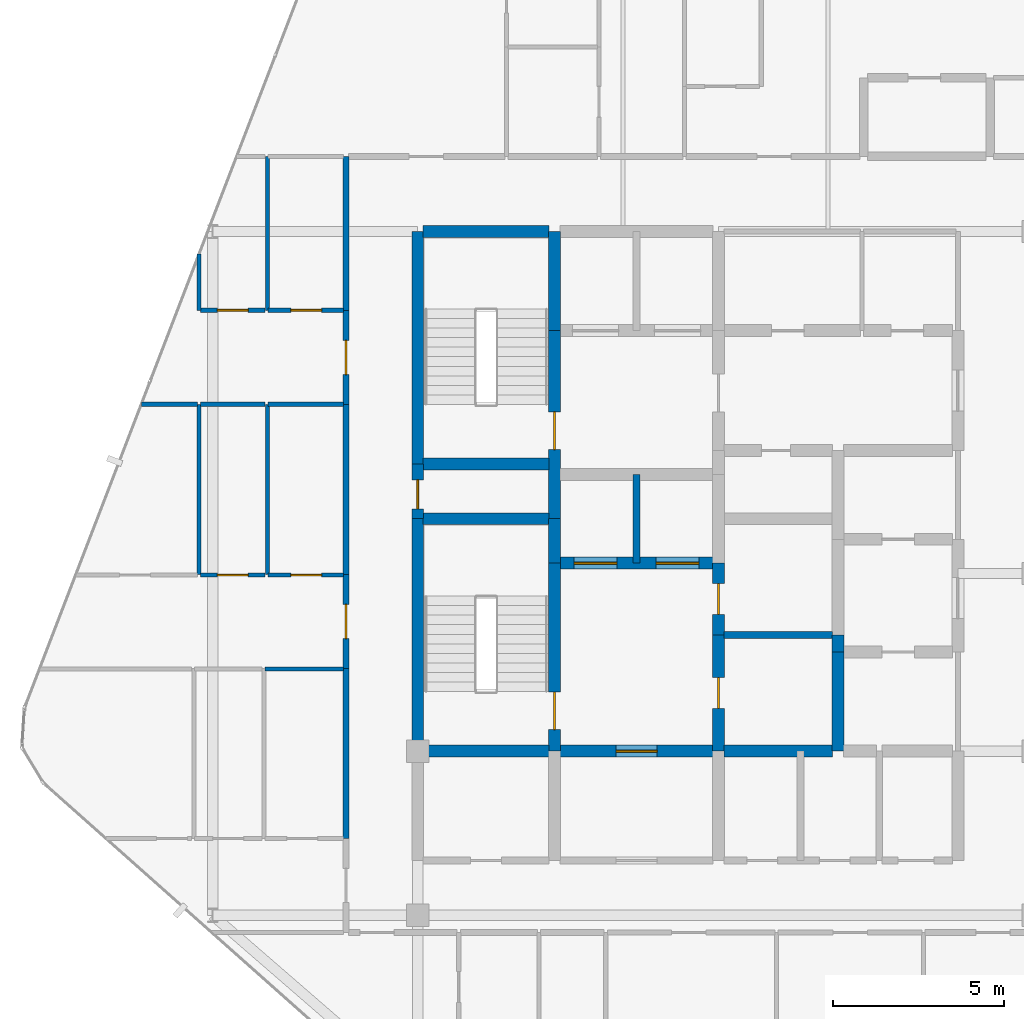
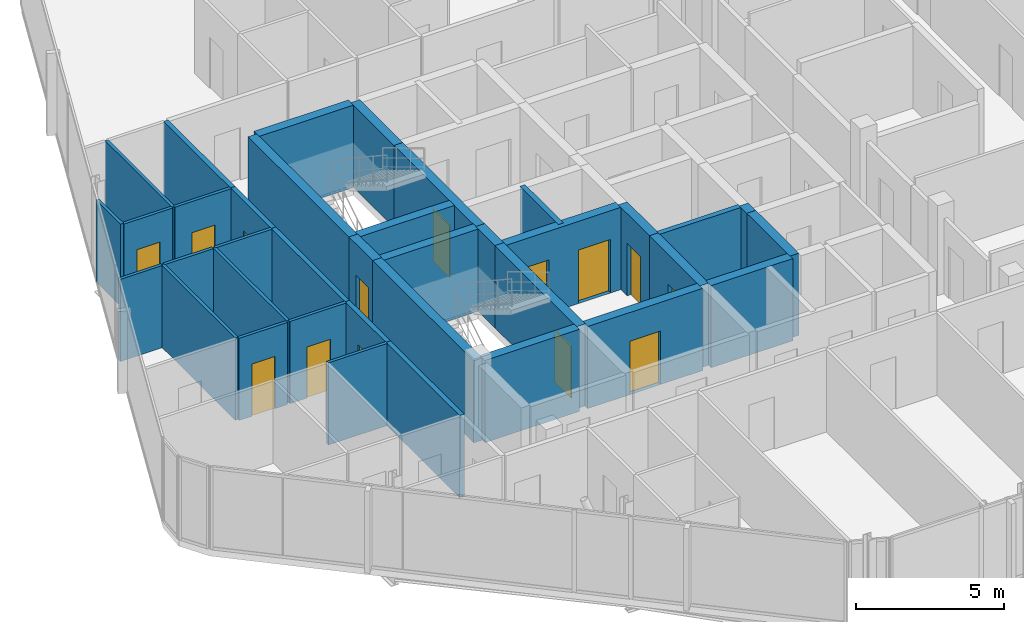
# One storey, part 23 of 27: 37 walls, 14 doors, 14 openings.
"""IFC4 building model written with IfcOpenShell, lengths in metres."""

from ifc_helpers import new_model, si_unit, direction, frame, frame_2d, origin, place, context, subcontext, project, spatial, rectangle, extrude, material, layer, layer_set, type_object, element, fill, save


model = new_model("IFC4")

# Units and contexts
model_context = context("Model", 3, precision=1e-05, world=origin(), true_north=direction((0.0, 1.0)))
body_context = subcontext(model_context, "Body", "Model", "MODEL_VIEW")
ifc_project = project(units=[si_unit("LENGTHUNIT", "METRE"), si_unit("AREAUNIT", "SQUARE_METRE"), si_unit("VOLUMEUNIT", "CUBIC_METRE"), si_unit("PLANEANGLEUNIT", "RADIAN"), si_unit("MASSUNIT", "GRAM", prefix="KILO")], contexts=[model_context])

# Site, building, storey
site_placement = place(None, origin())
site = spatial("IfcSite", under=ifc_project, at=site_placement, CompositionType="ELEMENT")
building_placement = place(site_placement, origin())
building = spatial("IfcBuilding", under=site, at=building_placement, Name="Keshet Zoharim Tower", CompositionType="ELEMENT")
storey_placement = place(building_placement, frame((0.0, 0.0, 295.39990234375)))
storey = spatial("IfcBuildingStorey", under=building, at=storey_placement, Name="L74", CompositionType="ELEMENT", Elevation=295.39990234375)

# Wall
ifc_material_1 = material(Name="Concrete C60/75", Category="concrete")
ifc_layer_1 = layer(ifc_material_1, 0.35009765625)
ifc_layer_set_1 = layer_set([ifc_layer_1], Name="Concrete C60/75")
wall_type_1 = type_object("IfcWallType", Name="WL-CORE-350", PredefinedType="SHEAR", material=ifc_layer_set_1)
wall_1_placement = place(storey_placement, frame((15.0, 22.699951171875, 0.0), z_axis=(0.0, 0.0, 1.0), x_axis=(0.0, 1.0, 0.0)))
element("IfcWall", 1, at=wall_1_placement, inside=storey, type_object=wall_type_1, Name="L74 Core Shear Wall 014", PredefinedType="SHEAR", context=body_context, shape_type="SweptSolid", body=[
    extrude(rectangle(XDim=6.800048828125, YDim=0.35009765625, at=frame_2d((3.39990234375, 0.0))), origin(), (0.0, 0.0, 1.0), 3.380126953125),
])

# Wall, opening, door
wall_2_placement = place(storey_placement, frame((15.0, 29.5, 0.0), z_axis=(0.0, 0.0, 1.0), x_axis=(0.0, 1.0, 0.0)))
wall_2 = element("IfcWall", 2, at=wall_2_placement, inside=storey, type_object=wall_type_1, Name="L74 Core Shear Wall 015", PredefinedType="SHEAR", context=body_context, shape_type="SweptSolid", body=[
    extrude(rectangle(XDim=1.60009765625, YDim=0.35009765625, at=frame_2d((0.800048828125, 0.0))), origin(), (0.0, 0.0, 1.0), 3.380126953125),
])
opening_1_placement = place(wall_2_placement, frame((0.287109375, 0.0, 0.0)))
opening_1 = element("IfcOpeningElement", 3, at=opening_1_placement, cuts=wall_2, Name="Opening D-RS85", PredefinedType="OPENING", context=body_context, shape_type="SweptSolid", body=[
    extrude(rectangle(XDim=0.85009765625, YDim=2.10009765625, at=frame_2d((0.425048828125, 1.050048828125))), frame((0.0, 0.18505859375, 0.0), z_axis=(0.0, -1.0, 0.0), x_axis=(1.0, 0.0, 0.0)), (0.0, 0.0, 1.0), 0.3701171875),
])
ifc_material_2 = material(Name="Hardwood Timber", Category="wood")
door_type_1 = type_object("IfcDoorType", Name="DR-RIS-085", OperationType="NOTDEFINED", PredefinedType="DOOR", material=ifc_material_2)
door_1_placement = place(opening_1_placement, origin())
door_1 = element("IfcDoor", 4, at=door_1_placement, inside=storey, type_object=door_type_1, Name="L74 Electrical Riser Access Cupboard Door", OperationType="SINGLE_SWING_RIGHT", OverallHeight=2.10009765625, OverallWidth=0.85009765625, PredefinedType="DOOR", context=body_context, shape_type="SweptSolid", body=[
    extrude(rectangle(XDim=0.85009765625, YDim=2.10009765625, at=frame_2d((0.425048828125, 1.050048828125))), frame((0.0, 0.02490234375, 0.0), z_axis=(0.0, -1.0, 0.0), x_axis=(1.0, 0.0, 0.0)), (0.0, 0.0, 1.0), 0.050048828125),
])
fill(opening_1, door_1)

# Wall
wall_3_placement = place(storey_placement, frame((15.0, 31.10009765625, 0.0), z_axis=(0.0, 0.0, 1.0), x_axis=(0.0, 1.0, 0.0)))
element("IfcWall", 5, at=wall_3_placement, inside=storey, type_object=wall_type_1, Name="L74 Core Shear Wall 016", PredefinedType="SHEAR", context=body_context, shape_type="SweptSolid", body=[
    extrude(rectangle(XDim=6.7998046875, YDim=0.35009765625, at=frame_2d((3.39990234375, 0.0))), origin(), (0.0, 0.0, 1.0), 3.380126953125),
])

# Wall, opening, door
wall_4_placement = place(storey_placement, frame((19.0, 22.699951171875, 0.0), z_axis=(0.0, 0.0, 1.0), x_axis=(0.0, 1.0, 0.0)))
wall_4 = element("IfcWall", 6, at=wall_4_placement, inside=storey, type_object=wall_type_1, Name="L74 Core Shear Wall 024", PredefinedType="SHEAR", context=body_context, shape_type="SweptSolid", body=[
    extrude(rectangle(XDim=5.5, YDim=0.35009765625, at=frame_2d((2.75, 0.0))), origin(), (0.0, 0.0, 1.0), 3.380126953125),
])
opening_2_placement = place(wall_4_placement, frame((0.631103515625, 0.0, 0.0)))
opening_2 = element("IfcOpeningElement", 7, at=opening_2_placement, cuts=wall_4, Name="Opening D-F611", PredefinedType="OPENING", context=body_context, shape_type="SweptSolid", body=[
    extrude(rectangle(XDim=1.10009765625, YDim=2.14990234375, at=frame_2d((0.550048828125, 1.074951171875))), frame((0.0, 0.18505859375, 0.0), z_axis=(0.0, -1.0, 0.0), x_axis=(1.0, 0.0, 0.0)), (0.0, 0.0, 1.0), 0.3701171875),
])
door_type_2 = type_object("IfcDoorType", Name="DR-FD60-110", OperationType="NOTDEFINED", PredefinedType="DOOR", material=ifc_material_2)
door_2_placement = place(opening_2_placement, origin())
door_2 = element("IfcDoor", 8, at=door_2_placement, inside=storey, type_object=door_type_2, Name="L74 Exit Stair ST-01 Fire Door", OperationType="SINGLE_SWING_RIGHT", OverallHeight=2.14990234375, OverallWidth=1.10009765625, PredefinedType="DOOR", context=body_context, shape_type="SweptSolid", body=[
    extrude(rectangle(XDim=1.10009765625, YDim=2.14990234375, at=frame_2d((0.550048828125, 1.074951171875))), frame((0.0, 0.02490234375, 0.0), z_axis=(0.0, -1.0, 0.0), x_axis=(1.0, 0.0, 0.0)), (0.0, 0.0, 1.0), 0.050048828125),
])
fill(opening_2, door_2)

# Wall
wall_5_placement = place(storey_placement, frame((19.0, 28.199951171875, 0.0), z_axis=(0.0, 0.0, 1.0), x_axis=(0.0, 1.0, 0.0)))
element("IfcWall", 9, at=wall_5_placement, inside=storey, type_object=wall_type_1, Name="L74 Core Shear Wall 025", PredefinedType="SHEAR", context=body_context, shape_type="SweptSolid", body=[
    extrude(rectangle(XDim=1.300048828125, YDim=0.35009765625, at=frame_2d((0.64990234375, 0.0))), origin(), (0.0, 0.0, 1.0), 3.380126953125),
])

# Wall, opening, door
wall_6_placement = place(storey_placement, frame((19.0, 29.5, 0.0), z_axis=(0.0, 0.0, 1.0), x_axis=(0.0, 1.0, 0.0)))
wall_6 = element("IfcWall", 10, at=wall_6_placement, inside=storey, type_object=wall_type_1, Name="L74 Core Shear Wall 026", PredefinedType="SHEAR", context=body_context, shape_type="SweptSolid", body=[
    extrude(rectangle(XDim=5.5, YDim=0.35009765625, at=frame_2d((2.75, 0.0))), origin(), (0.0, 0.0, 1.0), 3.380126953125),
])
opening_3_placement = place(wall_6_placement, frame((2.02490234375, 0.0, 0.0)))
opening_3 = element("IfcOpeningElement", 11, at=opening_3_placement, cuts=wall_6, Name="Opening D-F611", PredefinedType="OPENING", context=body_context, shape_type="SweptSolid", body=[
    extrude(rectangle(XDim=1.10009765625, YDim=2.14990234375, at=frame_2d((0.550048828125, 1.074951171875))), frame((0.0, 0.18505859375, 0.0), z_axis=(0.0, -1.0, 0.0), x_axis=(1.0, 0.0, 0.0)), (0.0, 0.0, 1.0), 0.3701171875),
])
door_3_placement = place(opening_3_placement, origin())
door_3 = element("IfcDoor", 12, at=door_3_placement, inside=storey, type_object=door_type_2, Name="L74 Exit Stair ST-02 Fire Door", OperationType="SINGLE_SWING_LEFT", OverallHeight=2.14990234375, OverallWidth=1.10009765625, PredefinedType="DOOR", context=body_context, shape_type="SweptSolid", body=[
    extrude(rectangle(XDim=1.10009765625, YDim=2.14990234375, at=frame_2d((0.550048828125, 1.074951171875))), frame((0.0, 0.02490234375, 0.0), z_axis=(0.0, -1.0, 0.0), x_axis=(1.0, 0.0, 0.0)), (0.0, 0.0, 1.0), 0.050048828125),
])
fill(opening_3, door_3)

# Wall
wall_7_placement = place(storey_placement, frame((19.0, 35.0, 0.0), z_axis=(0.0, 0.0, 1.0), x_axis=(0.0, 1.0, 0.0)))
element("IfcWall", 13, at=wall_7_placement, inside=storey, type_object=wall_type_1, Name="L74 Core Shear Wall 027", PredefinedType="SHEAR", context=body_context, shape_type="SweptSolid", body=[
    extrude(rectangle(XDim=2.89990234375, YDim=0.35009765625, at=frame_2d((1.449951171875, 0.0))), origin(), (0.0, 0.0, 1.0), 3.380126953125),
])

# Wall, opening, door
wall_8_placement = place(storey_placement, frame((23.800048828125, 22.699951171875, 0.0), z_axis=(0.0, 0.0, 1.0), x_axis=(0.0, 1.0, 0.0)))
wall_8 = element("IfcWall", 14, at=wall_8_placement, inside=storey, type_object=wall_type_1, Name="L74 Core Shear Wall 036", PredefinedType="SHEAR", context=body_context, shape_type="SweptSolid", body=[
    extrude(rectangle(XDim=3.400146484375, YDim=0.35009765625, at=frame_2d((1.7001953125, 0.0))), origin(), (0.0, 0.0, 1.0), 3.380126953125),
])
opening_4_placement = place(wall_8_placement, frame((1.25, 0.0, 0.0)))
opening_4 = element("IfcOpeningElement", 15, at=opening_4_placement, cuts=wall_8, Name="Opening D-F690", PredefinedType="OPENING", context=body_context, shape_type="SweptSolid", body=[
    extrude(rectangle(XDim=0.89990234375, YDim=2.14990234375, at=frame_2d((0.449951171875, 1.074951171875))), frame((0.0, 0.18505859375, 0.0), z_axis=(0.0, -1.0, 0.0), x_axis=(1.0, 0.0, 0.0)), (0.0, 0.0, 1.0), 0.3701171875),
])
door_type_3 = type_object("IfcDoorType", Name="DR-FD60-090", OperationType="NOTDEFINED", PredefinedType="DOOR", material=ifc_material_2)
door_4_placement = place(opening_4_placement, origin())
door_4 = element("IfcDoor", 16, at=door_4_placement, inside=storey, type_object=door_type_3, Name="L74 Core Linen Store Door", OperationType="SINGLE_SWING_LEFT", OverallHeight=2.14990234375, OverallWidth=0.89990234375, PredefinedType="DOOR", context=body_context, shape_type="SweptSolid", body=[
    extrude(rectangle(XDim=0.89990234375, YDim=2.14990234375, at=frame_2d((0.449951171875, 1.074951171875))), frame((0.0, 0.02490234375, 0.0), z_axis=(0.0, -1.0, 0.0), x_axis=(1.0, 0.0, 0.0)), (0.0, 0.0, 1.0), 0.050048828125),
])
fill(opening_4, door_4)

wall_9_placement = place(storey_placement, frame((23.800048828125, 26.10009765625, 0.0), z_axis=(0.0, 0.0, 1.0), x_axis=(0.0, 1.0, 0.0)))
wall_9 = element("IfcWall", 17, at=wall_9_placement, inside=storey, type_object=wall_type_1, Name="L74 Core Shear Wall 037", PredefinedType="SHEAR", context=body_context, shape_type="SweptSolid", body=[
    extrude(rectangle(XDim=2.099853515625, YDim=0.35009765625, at=frame_2d((1.0498046875, 0.0))), origin(), (0.0, 0.0, 1.0), 3.380126953125),
])
opening_5_placement = place(wall_9_placement, frame((0.60009765625, 0.0, 0.0)))
opening_5 = element("IfcOpeningElement", 18, at=opening_5_placement, cuts=wall_9, Name="Opening D-F690", PredefinedType="OPENING", context=body_context, shape_type="SweptSolid", body=[
    extrude(rectangle(XDim=0.89990234375, YDim=2.14990234375, at=frame_2d((0.449951171875, 1.074951171875))), frame((0.0, 0.18505859375, 0.0), z_axis=(0.0, -1.0, 0.0), x_axis=(1.0, 0.0, 0.0)), (0.0, 0.0, 1.0), 0.3701171875),
])
door_5_placement = place(opening_5_placement, origin())
door_5 = element("IfcDoor", 19, at=door_5_placement, inside=storey, type_object=door_type_3, Name="L74 Core Electrical Room Door", OperationType="SINGLE_SWING_RIGHT", OverallHeight=2.14990234375, OverallWidth=0.89990234375, PredefinedType="DOOR", context=body_context, shape_type="SweptSolid", body=[
    extrude(rectangle(XDim=0.89990234375, YDim=2.14990234375, at=frame_2d((0.449951171875, 1.074951171875))), frame((0.0, 0.02490234375, 0.0), z_axis=(0.0, -1.0, 0.0), x_axis=(1.0, 0.0, 0.0)), (0.0, 0.0, 1.0), 0.050048828125),
])
fill(opening_5, door_5)

# Walls
wall_10_placement = place(storey_placement, frame((27.300048828125, 22.699951171875, 0.0), z_axis=(0.0, 0.0, 1.0), x_axis=(0.0, 1.0, 0.0)))
element("IfcWall", 20, at=wall_10_placement, inside=storey, type_object=wall_type_1, Name="L74 Core Shear Wall 045", PredefinedType="SHEAR", context=body_context, shape_type="SweptSolid", body=[
    extrude(rectangle(XDim=2.900146484375, YDim=0.35009765625, at=frame_2d((1.4501953125, 0.0))), origin(), (0.0, 0.0, 1.0), 3.380126953125),
])
wall_11_placement = place(storey_placement, frame((27.300048828125, 25.60009765625, 0.0), z_axis=(0.0, 0.0, 1.0), x_axis=(0.0, 1.0, 0.0)))
element("IfcWall", 21, at=wall_11_placement, inside=storey, type_object=wall_type_1, Name="L74 Core Shear Wall 046", PredefinedType="SHEAR", context=body_context, shape_type="SweptSolid", body=[
    extrude(rectangle(XDim=0.5, YDim=0.35009765625, at=frame_2d((0.25, 0.0))), origin(), (0.0, 0.0, 1.0), 3.380126953125),
])
wall_12_placement = place(storey_placement, frame((15.159912109375, 22.699951171875, 0.0), z_axis=(0.0, 0.0, 1.0), x_axis=(1.0, 0.0, 0.0)))
element("IfcWall", 22, at=wall_12_placement, inside=storey, type_object=wall_type_1, Name="L74 Core Shear Wall 111", PredefinedType="SHEAR", context=body_context, shape_type="SweptSolid", body=[
    extrude(rectangle(XDim=3.68017578125, YDim=0.35009765625, at=frame_2d((1.840087890625, 0.0))), origin(), (0.0, 0.0, 1.0), 3.380126953125),
])

# Wall, opening, door
wall_13_placement = place(storey_placement, frame((19.159912109375, 22.699951171875, 0.0), z_axis=(0.0, 0.0, 1.0), x_axis=(1.0, 0.0, 0.0)))
wall_13 = element("IfcWall", 23, at=wall_13_placement, inside=storey, type_object=wall_type_1, Name="L74 Core Shear Wall 112", PredefinedType="SHEAR", context=body_context, shape_type="SweptSolid", body=[
    extrude(rectangle(XDim=4.47998046875, YDim=0.35009765625, at=frame_2d((2.239990234375, 0.0))), origin(), (0.0, 0.0, 1.0), 3.380126953125),
])
opening_6_placement = place(wall_13_placement, frame((1.639892578125, 0.0, 0.0)))
opening_6 = element("IfcOpeningElement", 24, at=opening_6_placement, cuts=wall_13, Name="Opening D-F612", PredefinedType="OPENING", context=body_context, shape_type="SweptSolid", body=[
    extrude(rectangle(XDim=1.199951171875, YDim=2.199951171875, at=frame_2d((0.60009765625, 1.10009765625))), frame((0.0, 0.18505859375, 0.0), z_axis=(0.0, -1.0, 0.0), x_axis=(1.0, 0.0, 0.0)), (0.0, 0.0, 1.0), 0.3701171875),
])
door_type_4 = type_object("IfcDoorType", Name="DR-FD60-120", OperationType="NOTDEFINED", PredefinedType="DOOR", material=ifc_material_2)
door_6_placement = place(opening_6_placement, origin())
door_6 = element("IfcDoor", 25, at=door_6_placement, inside=storey, type_object=door_type_4, Name="L74 South Core Lobby Fire Door", OperationType="SINGLE_SWING_RIGHT", OverallHeight=2.199951171875, OverallWidth=1.199951171875, PredefinedType="DOOR", context=body_context, shape_type="SweptSolid", body=[
    extrude(rectangle(XDim=1.199951171875, YDim=2.199951171875, at=frame_2d((0.60009765625, 1.10009765625))), frame((0.0, 0.02490234375, 0.0), z_axis=(0.0, -1.0, 0.0), x_axis=(1.0, 0.0, 0.0)), (0.0, 0.0, 1.0), 0.050048828125),
])
fill(opening_6, door_6)

# Wall
wall_14_placement = place(storey_placement, frame((23.9599609375, 22.699951171875, 0.0), z_axis=(0.0, 0.0, 1.0), x_axis=(1.0, 0.0, 0.0)))
element("IfcWall", 26, at=wall_14_placement, inside=storey, type_object=wall_type_1, Name="L74 Core Shear Wall 113", PredefinedType="SHEAR", context=body_context, shape_type="SweptSolid", body=[
    extrude(rectangle(XDim=3.179931640625, YDim=0.35009765625, at=frame_2d((1.58984375, 0.0))), origin(), (0.0, 0.0, 1.0), 3.380126953125),
])

# Wall, openings, doors
wall_15_placement = place(storey_placement, frame((19.159912109375, 28.199951171875, 0.0), z_axis=(0.0, 0.0, 1.0), x_axis=(1.0, 0.0, 0.0)))
wall_15 = element("IfcWall", 27, at=wall_15_placement, inside=storey, type_object=wall_type_1, Name="L74 Core Shear Wall 128", PredefinedType="SHEAR", context=body_context, shape_type="SweptSolid", body=[
    extrude(rectangle(XDim=4.47998046875, YDim=0.35009765625, at=frame_2d((2.239990234375, 0.0))), origin(), (0.0, 0.0, 1.0), 3.380126953125),
])
opening_7_placement = place(wall_15_placement, frame((0.4150390625, 0.0, 0.0)))
opening_7 = element("IfcOpeningElement", 28, at=opening_7_placement, cuts=wall_15, Name="Opening LD-01", PredefinedType="OPENING", context=body_context, shape_type="SweptSolid", body=[
    extrude(rectangle(XDim=1.25, YDim=2.199951171875, at=frame_2d((0.625, 1.10009765625))), frame((0.0, 0.18505859375, 0.0), z_axis=(0.0, -1.0, 0.0), x_axis=(1.0, 0.0, 0.0)), (0.0, 0.0, 1.0), 0.3701171875),
])
opening_8_placement = place(wall_15_placement, frame((2.81494140625, 0.0, 0.0)))
opening_8 = element("IfcOpeningElement", 29, at=opening_8_placement, cuts=wall_15, Name="Opening LD-01", PredefinedType="OPENING", context=body_context, shape_type="SweptSolid", body=[
    extrude(rectangle(XDim=1.25, YDim=2.199951171875, at=frame_2d((0.625, 1.10009765625))), frame((0.0, 0.18505859375, 0.0), z_axis=(0.0, -1.0, 0.0), x_axis=(1.0, 0.0, 0.0)), (0.0, 0.0, 1.0), 0.3701171875),
])
ifc_material_3 = material(Name="Steel S355", Category="steel")
door_type_5 = type_object("IfcDoorType", Name="DR-LD01-125", OperationType="DOUBLE_DOOR_SLIDING", PredefinedType="DOOR", material=ifc_material_3)
door_7_placement = place(opening_7_placement, origin())
door_7 = element("IfcDoor", 30, at=door_7_placement, inside=storey, type_object=door_type_5, Name="L74 Passenger Lift Landing Door LF-09", OperationType="DOUBLE_DOOR_SLIDING", OverallHeight=2.199951171875, OverallWidth=1.25, PredefinedType="DOOR", context=body_context, shape_type="SweptSolid", body=[
    extrude(rectangle(XDim=1.25, YDim=2.199951171875, at=frame_2d((0.625, 1.10009765625))), frame((0.0, 0.02490234375, 0.0), z_axis=(0.0, -1.0, 0.0), x_axis=(1.0, 0.0, 0.0)), (0.0, 0.0, 1.0), 0.050048828125),
])
fill(opening_7, door_7)
door_8_placement = place(opening_8_placement, origin())
door_8 = element("IfcDoor", 31, at=door_8_placement, inside=storey, type_object=door_type_5, Name="L74 Passenger Lift Landing Door LF-10", OperationType="DOUBLE_DOOR_SLIDING", OverallHeight=2.199951171875, OverallWidth=1.25, PredefinedType="DOOR", context=body_context, shape_type="SweptSolid", body=[
    extrude(rectangle(XDim=1.25, YDim=2.199951171875, at=frame_2d((0.625, 1.10009765625))), frame((0.0, 0.02490234375, 0.0), z_axis=(0.0, -1.0, 0.0), x_axis=(1.0, 0.0, 0.0)), (0.0, 0.0, 1.0), 0.050048828125),
])
fill(opening_8, door_8)

# Walls
for number, where, z_axis, x_axis, name in (
    (32, (15.159912109375, 29.5, 0.0), (0.0, 0.0, 1.0), (1.0, 0.0, 0.0), "L74 Core Shear Wall 130"),
    (33, (15.159912109375, 31.10009765625, 0.0), (0.0, 0.0, 1.0), (1.0, 0.0, 0.0), "L74 Core Shear Wall 133"),
    (34, (15.159912109375, 37.89990234375, 0.0), (0.0, 0.0, 1.0), (1.0, 0.0, 0.0), "L74 Core Shear Wall 147"),
):
    element("IfcWall", number, at=place(storey_placement, frame(where, z_axis=z_axis, x_axis=x_axis)), inside=storey, type_object=wall_type_1, Name=name, PredefinedType="SHEAR", context=body_context, shape_type="SweptSolid", body=[
        extrude(rectangle(XDim=3.68017578125, YDim=0.35009765625, at=frame_2d((1.840087890625, 0.0))), origin(), (0.0, 0.0, 1.0), 3.380126953125),
    ])
ifc_material_4 = material(Name="Gypsum Plasterboard", Category="gypsum")
ifc_layer_2 = layer(ifc_material_4, 0.179931640625)
ifc_layer_set_2 = layer_set([ifc_layer_2], Name="Gypsum Plasterboard")
wall_type_2 = type_object("IfcWallType", Name="WL-CORR-180", PredefinedType="STANDARD", material=ifc_layer_set_2)
wall_16_placement = place(storey_placement, frame((12.89990234375, 20.14990234375, 0.0), z_axis=(0.0, 0.0, 1.0), x_axis=(0.0, 1.0, 0.0)))
element("IfcWall", 35, at=wall_16_placement, inside=storey, type_object=wall_type_2, Name="L74 Interior Wall 008", PredefinedType="STANDARD", context=body_context, shape_type="SweptSolid", body=[
    extrude(rectangle(XDim=4.97021484375, YDim=0.179931640625, at=frame_2d((2.485107421875, 0.0))), origin(), (0.0, 0.0, 1.0), 3.380126953125),
])

# Wall, opening, door
wall_17_placement = place(storey_placement, frame((12.89990234375, 25.1201171875, 0.0), z_axis=(0.0, 0.0, 1.0), x_axis=(0.0, 1.0, 0.0)))
wall_17 = element("IfcWall", 36, at=wall_17_placement, inside=storey, type_object=wall_type_2, Name="L74 Interior Wall 009", PredefinedType="STANDARD", context=body_context, shape_type="SweptSolid", body=[
    extrude(rectangle(XDim=2.75, YDim=0.179931640625, at=frame_2d((1.375, 0.0))), origin(), (0.0, 0.0, 1.0), 3.380126953125),
])
opening_9_placement = place(wall_17_placement, frame((0.875, 0.0, 0.0)))
opening_9 = element("IfcOpeningElement", 37, at=opening_9_placement, cuts=wall_17, Name="Opening D-F310", PredefinedType="OPENING", context=body_context, shape_type="SweptSolid", body=[
    extrude(rectangle(XDim=1.0, YDim=2.14990234375, at=frame_2d((0.5, 1.074951171875))), frame((0.0, 0.10009765625, 0.0), z_axis=(0.0, -1.0, 0.0), x_axis=(1.0, 0.0, 0.0)), (0.0, 0.0, 1.0), 0.199951171875),
])
door_type_6 = type_object("IfcDoorType", Name="DR-FD30-100", OperationType="NOTDEFINED", PredefinedType="DOOR", material=ifc_material_2)
door_9_placement = place(opening_9_placement, origin())
door_9 = element("IfcDoor", 38, at=door_9_placement, inside=storey, type_object=door_type_6, Name="Apartment 7406 Entrance Door", OperationType="SINGLE_SWING_RIGHT", OverallHeight=2.14990234375, OverallWidth=1.0, PredefinedType="DOOR", context=body_context, shape_type="SweptSolid", body=[
    extrude(rectangle(XDim=1.0, YDim=2.14990234375, at=frame_2d((0.5, 1.074951171875))), frame((0.0, 0.02490234375, 0.0), z_axis=(0.0, -1.0, 0.0), x_axis=(1.0, 0.0, 0.0)), (0.0, 0.0, 1.0), 0.050048828125),
])
fill(opening_9, door_9)

# Wall
wall_18_placement = place(storey_placement, frame((12.89990234375, 27.8701171875, 0.0), z_axis=(0.0, 0.0, 1.0), x_axis=(0.0, 1.0, 0.0)))
element("IfcWall", 39, at=wall_18_placement, inside=storey, type_object=wall_type_2, Name="L74 Interior Wall 010", PredefinedType="STANDARD", context=body_context, shape_type="SweptSolid", body=[
    extrude(rectangle(XDim=4.969970703125, YDim=0.179931640625, at=frame_2d((2.48486328125, 0.0))), origin(), (0.0, 0.0, 1.0), 3.380126953125),
])

# Wall, opening, door
wall_19_placement = place(storey_placement, frame((12.89990234375, 32.840087890625, 0.0), z_axis=(0.0, 0.0, 1.0), x_axis=(0.0, 1.0, 0.0)))
wall_19 = element("IfcWall", 40, at=wall_19_placement, inside=storey, type_object=wall_type_2, Name="L74 Interior Wall 011", PredefinedType="STANDARD", context=body_context, shape_type="SweptSolid", body=[
    extrude(rectangle(XDim=2.75, YDim=0.179931640625, at=frame_2d((1.375, 0.0))), origin(), (0.0, 0.0, 1.0), 3.380126953125),
])
opening_10_placement = place(wall_19_placement, frame((0.875, 0.0, 0.0)))
opening_10 = element("IfcOpeningElement", 41, at=opening_10_placement, cuts=wall_19, Name="Opening D-F310", PredefinedType="OPENING", context=body_context, shape_type="SweptSolid", body=[
    extrude(rectangle(XDim=1.0, YDim=2.14990234375, at=frame_2d((0.5, 1.074951171875))), frame((0.0, 0.10009765625, 0.0), z_axis=(0.0, -1.0, 0.0), x_axis=(1.0, 0.0, 0.0)), (0.0, 0.0, 1.0), 0.199951171875),
])
door_10_placement = place(opening_10_placement, origin())
door_10 = element("IfcDoor", 42, at=door_10_placement, inside=storey, type_object=door_type_6, Name="Apartment 7407 Entrance Door", OperationType="SINGLE_SWING_LEFT", OverallHeight=2.14990234375, OverallWidth=1.0, PredefinedType="DOOR", context=body_context, shape_type="SweptSolid", body=[
    extrude(rectangle(XDim=1.0, YDim=2.14990234375, at=frame_2d((0.5, 1.074951171875))), frame((0.0, 0.02490234375, 0.0), z_axis=(0.0, -1.0, 0.0), x_axis=(1.0, 0.0, 0.0)), (0.0, 0.0, 1.0), 0.050048828125),
])
fill(opening_10, door_10)

# Walls
wall_20_placement = place(storey_placement, frame((12.89990234375, 35.590087890625, 0.0), z_axis=(0.0, 0.0, 1.0), x_axis=(0.0, 1.0, 0.0)))
element("IfcWall", 43, at=wall_20_placement, inside=storey, type_object=wall_type_2, Name="L74 Interior Wall 012", PredefinedType="STANDARD", context=body_context, shape_type="SweptSolid", body=[
    extrude(rectangle(XDim=4.510009765625, YDim=0.179931640625, at=frame_2d((2.2548828125, 0.0))), origin(), (0.0, 0.0, 1.0), 3.380126953125),
])
ifc_material_5 = material(Name="Concrete C50/60", Category="concrete")
ifc_layer_3 = layer(ifc_material_5, 0.199951171875)
ifc_layer_set_3 = layer_set([ifc_layer_3], Name="Concrete C50/60")
wall_type_3 = type_object("IfcWallType", Name="WL-FIRE-200", PredefinedType="STANDARD", material=ifc_layer_set_3)
wall_21_placement = place(storey_placement, frame((21.39990234375, 28.199951171875, 0.0), z_axis=(0.0, 0.0, 1.0), x_axis=(0.0, 1.0, 0.0)))
element("IfcWall", 44, at=wall_21_placement, inside=storey, type_object=wall_type_3, Name="L74 Interior Wall 031", PredefinedType="STANDARD", context=body_context, shape_type="SweptSolid", body=[
    extrude(rectangle(XDim=2.60009765625, YDim=0.199951171875, at=frame_2d((1.300048828125, 0.0))), origin(), (0.0, 0.0, 1.0), 3.380126953125),
])
wall_22_placement = place(storey_placement, frame((23.9599609375, 26.10009765625, 0.0), z_axis=(0.0, 0.0, 1.0), x_axis=(1.0, 0.0, 0.0)))
element("IfcWall", 45, at=wall_22_placement, inside=storey, type_object=wall_type_3, Name="L74 Interior Wall 121", PredefinedType="STANDARD", context=body_context, shape_type="SweptSolid", body=[
    extrude(rectangle(XDim=3.179931640625, YDim=0.199951171875, at=frame_2d((1.58984375, 0.0))), origin(), (0.0, 0.0, 1.0), 3.380126953125),
])
ifc_layer_4 = layer(ifc_material_4, 0.1201171875)
ifc_layer_set_4 = layer_set([ifc_layer_4], Name="Gypsum Plasterboard")
wall_type_4 = type_object("IfcWallType", Name="WL-PART-120", PredefinedType="PARTITIONING", material=ifc_layer_set_4)
wall_23_placement = place(storey_placement, frame((8.60009765625, 27.8701171875, 0.0), z_axis=(0.0, 0.0, 1.0), x_axis=(0.0, 1.0, 0.0)))
element("IfcWall", 46, at=wall_23_placement, inside=storey, type_object=wall_type_4, Name="L74 Interior Wall 002", PredefinedType="PARTITIONING", context=body_context, shape_type="SweptSolid", body=[
    extrude(rectangle(XDim=4.969970703125, YDim=0.1201171875, at=frame_2d((2.48486328125, 0.0))), origin(), (0.0, 0.0, 1.0), 3.380126953125),
])
wall_24_placement = place(storey_placement, frame((8.60009765625, 35.590087890625, 0.0), z_axis=(0.0, 0.0, 1.0), x_axis=(0.0, 1.0, 0.0)))
element("IfcWall", 47, at=wall_24_placement, inside=storey, type_object=wall_type_4, Name="L74 Interior Wall 003", PredefinedType="PARTITIONING", context=body_context, shape_type="SweptSolid", body=[
    extrude(rectangle(XDim=1.659912109375, YDim=0.1201171875, at=frame_2d((0.830078125, 0.0))), origin(), (0.0, 0.0, 1.0), 3.380126953125),
])

# Wall, opening, door
wall_25_placement = place(storey_placement, frame((8.64501953125, 27.85009765625, 0.0), z_axis=(0.0, 0.0, 1.0), x_axis=(1.0, 0.0, 0.0)))
wall_25 = element("IfcWall", 48, at=wall_25_placement, inside=storey, type_object=wall_type_4, Name="L74 Interior Wall 124", PredefinedType="PARTITIONING", context=body_context, shape_type="SweptSolid", body=[
    extrude(rectangle(XDim=1.887939453125, YDim=0.1201171875, at=frame_2d((0.94384765625, 0.0))), origin(), (0.0, 0.0, 1.0), 3.380126953125),
])
opening_11_placement = place(wall_25_placement, frame((0.493896484375, 0.0, 0.0)))
opening_11 = element("IfcOpeningElement", 49, at=opening_11_placement, cuts=wall_25, Name="Opening D-IN90", PredefinedType="OPENING", context=body_context, shape_type="SweptSolid", body=[
    extrude(rectangle(XDim=0.89990234375, YDim=2.14990234375, at=frame_2d((0.449951171875, 1.074951171875))), frame((0.0, 0.070068359375, 0.0), z_axis=(0.0, -1.0, 0.0), x_axis=(1.0, 0.0, 0.0)), (0.0, 0.0, 1.0), 0.14013671875),
])
door_type_7 = type_object("IfcDoorType", Name="DR-INT-090", OperationType="NOTDEFINED", PredefinedType="DOOR", material=ifc_material_2)
door_11_placement = place(opening_11_placement, origin())
door_11 = element("IfcDoor", 50, at=door_11_placement, inside=storey, type_object=door_type_7, Name="Apartment 7406 Kitchen Door", OperationType="SINGLE_SWING_LEFT", OverallHeight=2.14990234375, OverallWidth=0.89990234375, PredefinedType="DOOR", context=body_context, shape_type="SweptSolid", body=[
    extrude(rectangle(XDim=0.89990234375, YDim=2.14990234375, at=frame_2d((0.449951171875, 1.074951171875))), frame((0.0, 0.02490234375, 0.0), z_axis=(0.0, -1.0, 0.0), x_axis=(1.0, 0.0, 0.0)), (0.0, 0.0, 1.0), 0.050048828125),
])
fill(opening_11, door_11)

# Walls
wall_26_placement = place(storey_placement, frame((6.9140625, 32.85009765625, 0.0), z_axis=(0.0, 0.0, 1.0), x_axis=(1.0, 0.0, 0.0)))
element("IfcWall", 51, at=wall_26_placement, inside=storey, type_object=wall_type_4, Name="L74 Interior Wall 137", PredefinedType="PARTITIONING", context=body_context, shape_type="SweptSolid", body=[
    extrude(rectangle(XDim=1.640869140625, YDim=0.1201171875, at=frame_2d((0.8203125, 0.0))), origin(), (0.0, 0.0, 1.0), 3.380126953125),
])
wall_27_placement = place(storey_placement, frame((8.64501953125, 32.85009765625, 0.0), z_axis=(0.0, 0.0, 1.0), x_axis=(1.0, 0.0, 0.0)))
element("IfcWall", 52, at=wall_27_placement, inside=storey, type_object=wall_type_4, Name="L74 Interior Wall 138", PredefinedType="PARTITIONING", context=body_context, shape_type="SweptSolid", body=[
    extrude(rectangle(XDim=1.887939453125, YDim=0.1201171875, at=frame_2d((0.94384765625, 0.0))), origin(), (0.0, 0.0, 1.0), 3.380126953125),
])

# Wall, opening, door
wall_28_placement = place(storey_placement, frame((8.64501953125, 35.60009765625, 0.0), z_axis=(0.0, 0.0, 1.0), x_axis=(1.0, 0.0, 0.0)))
wall_28 = element("IfcWall", 53, at=wall_28_placement, inside=storey, type_object=wall_type_4, Name="L74 Interior Wall 144", PredefinedType="PARTITIONING", context=body_context, shape_type="SweptSolid", body=[
    extrude(rectangle(XDim=1.887939453125, YDim=0.1201171875, at=frame_2d((0.94384765625, 0.0))), origin(), (0.0, 0.0, 1.0), 3.380126953125),
])
opening_12_placement = place(wall_28_placement, frame((0.493896484375, 0.0, 0.0)))
opening_12 = element("IfcOpeningElement", 54, at=opening_12_placement, cuts=wall_28, Name="Opening D-IN90", PredefinedType="OPENING", context=body_context, shape_type="SweptSolid", body=[
    extrude(rectangle(XDim=0.89990234375, YDim=2.14990234375, at=frame_2d((0.449951171875, 1.074951171875))), frame((0.0, 0.070068359375, 0.0), z_axis=(0.0, -1.0, 0.0), x_axis=(1.0, 0.0, 0.0)), (0.0, 0.0, 1.0), 0.14013671875),
])
door_12_placement = place(opening_12_placement, origin())
door_12 = element("IfcDoor", 55, at=door_12_placement, inside=storey, type_object=door_type_7, Name="Apartment 7407 Kitchen Door", OperationType="SINGLE_SWING_LEFT", OverallHeight=2.14990234375, OverallWidth=0.89990234375, PredefinedType="DOOR", context=body_context, shape_type="SweptSolid", body=[
    extrude(rectangle(XDim=0.89990234375, YDim=2.14990234375, at=frame_2d((0.449951171875, 1.074951171875))), frame((0.0, 0.02490234375, 0.0), z_axis=(0.0, -1.0, 0.0), x_axis=(1.0, 0.0, 0.0)), (0.0, 0.0, 1.0), 0.050048828125),
])
fill(opening_12, door_12)

# Walls
ifc_layer_5 = layer(ifc_material_4, 0.1201171875)
ifc_layer_set_5 = layer_set([ifc_layer_5], Name="Gypsum Plasterboard")
wall_type_5 = type_object("IfcWallType", Name="WL-WET-120", PredefinedType="PARTITIONING", material=ifc_layer_set_5)
wall_29_placement = place(storey_placement, frame((10.60009765625, 27.8701171875, 0.0), z_axis=(0.0, 0.0, 1.0), x_axis=(0.0, 1.0, 0.0)))
element("IfcWall", 56, at=wall_29_placement, inside=storey, type_object=wall_type_5, Name="L74 Interior Wall 005", PredefinedType="PARTITIONING", context=body_context, shape_type="SweptSolid", body=[
    extrude(rectangle(XDim=4.969970703125, YDim=0.1201171875, at=frame_2d((2.48486328125, 0.0))), origin(), (0.0, 0.0, 1.0), 3.380126953125),
])
wall_30_placement = place(storey_placement, frame((10.60009765625, 35.590087890625, 0.0), z_axis=(0.0, 0.0, 1.0), x_axis=(0.0, 1.0, 0.0)))
element("IfcWall", 57, at=wall_30_placement, inside=storey, type_object=wall_type_5, Name="L74 Interior Wall 006", PredefinedType="PARTITIONING", context=body_context, shape_type="SweptSolid", body=[
    extrude(rectangle(XDim=4.510009765625, YDim=0.1201171875, at=frame_2d((2.2548828125, 0.0))), origin(), (0.0, 0.0, 1.0), 3.380126953125),
])
wall_31_placement = place(storey_placement, frame((10.530029296875, 25.10009765625, 0.0), z_axis=(0.0, 0.0, 1.0), x_axis=(1.0, 0.0, 0.0)))
element("IfcWall", 58, at=wall_31_placement, inside=storey, type_object=wall_type_5, Name="L74 Interior Wall 119", PredefinedType="PARTITIONING", context=body_context, shape_type="SweptSolid", body=[
    extrude(rectangle(XDim=2.294921875, YDim=0.1201171875, at=frame_2d((1.1474609375, 0.0))), origin(), (0.0, 0.0, 1.0), 3.380126953125),
])

# Wall, opening, door
wall_32_placement = place(storey_placement, frame((10.623046875, 27.85009765625, 0.0), z_axis=(0.0, 0.0, 1.0), x_axis=(1.0, 0.0, 0.0)))
wall_32 = element("IfcWall", 59, at=wall_32_placement, inside=storey, type_object=wall_type_5, Name="L74 Interior Wall 125", PredefinedType="PARTITIONING", context=body_context, shape_type="SweptSolid", body=[
    extrude(rectangle(XDim=2.201904296875, YDim=0.1201171875, at=frame_2d((1.10107421875, 0.0))), origin(), (0.0, 0.0, 1.0), 3.380126953125),
])
opening_13_placement = place(wall_32_placement, frame((0.666015625, 0.0, 0.0)))
opening_13 = element("IfcOpeningElement", 60, at=opening_13_placement, cuts=wall_32, Name="Opening D-WT90", PredefinedType="OPENING", context=body_context, shape_type="SweptSolid", body=[
    extrude(rectangle(XDim=0.89990234375, YDim=2.10009765625, at=frame_2d((0.449951171875, 1.050048828125))), frame((0.0, 0.070068359375, 0.0), z_axis=(0.0, -1.0, 0.0), x_axis=(1.0, 0.0, 0.0)), (0.0, 0.0, 1.0), 0.14013671875),
])
door_type_8 = type_object("IfcDoorType", Name="DR-WET-090", OperationType="NOTDEFINED", PredefinedType="DOOR", material=ifc_material_2)
door_13_placement = place(opening_13_placement, origin())
door_13 = element("IfcDoor", 61, at=door_13_placement, inside=storey, type_object=door_type_8, Name="Apartment 7406 Bathroom Door", OperationType="SINGLE_SWING_RIGHT", OverallHeight=2.10009765625, OverallWidth=0.89990234375, PredefinedType="DOOR", context=body_context, shape_type="SweptSolid", body=[
    extrude(rectangle(XDim=0.89990234375, YDim=2.10009765625, at=frame_2d((0.449951171875, 1.050048828125))), frame((0.0, 0.02490234375, 0.0), z_axis=(0.0, -1.0, 0.0), x_axis=(1.0, 0.0, 0.0)), (0.0, 0.0, 1.0), 0.050048828125),
])
fill(opening_13, door_13)

# Wall
wall_33_placement = place(storey_placement, frame((10.623046875, 32.85009765625, 0.0), z_axis=(0.0, 0.0, 1.0), x_axis=(1.0, 0.0, 0.0)))
element("IfcWall", 62, at=wall_33_placement, inside=storey, type_object=wall_type_5, Name="L74 Interior Wall 139", PredefinedType="PARTITIONING", context=body_context, shape_type="SweptSolid", body=[
    extrude(rectangle(XDim=2.201904296875, YDim=0.1201171875, at=frame_2d((1.10107421875, 0.0))), origin(), (0.0, 0.0, 1.0), 3.380126953125),
])

# Wall, opening, door
wall_34_placement = place(storey_placement, frame((10.623046875, 35.60009765625, 0.0), z_axis=(0.0, 0.0, 1.0), x_axis=(1.0, 0.0, 0.0)))
wall_34 = element("IfcWall", 63, at=wall_34_placement, inside=storey, type_object=wall_type_5, Name="L74 Interior Wall 145", PredefinedType="PARTITIONING", context=body_context, shape_type="SweptSolid", body=[
    extrude(rectangle(XDim=2.201904296875, YDim=0.1201171875, at=frame_2d((1.10107421875, 0.0))), origin(), (0.0, 0.0, 1.0), 3.380126953125),
])
opening_14_placement = place(wall_34_placement, frame((0.666015625, 0.0, 0.0)))
opening_14 = element("IfcOpeningElement", 64, at=opening_14_placement, cuts=wall_34, Name="Opening D-WT90", PredefinedType="OPENING", context=body_context, shape_type="SweptSolid", body=[
    extrude(rectangle(XDim=0.89990234375, YDim=2.10009765625, at=frame_2d((0.449951171875, 1.050048828125))), frame((0.0, 0.070068359375, 0.0), z_axis=(0.0, -1.0, 0.0), x_axis=(1.0, 0.0, 0.0)), (0.0, 0.0, 1.0), 0.14013671875),
])
door_14_placement = place(opening_14_placement, origin())
door_14 = element("IfcDoor", 65, at=door_14_placement, inside=storey, type_object=door_type_8, Name="Apartment 7407 Bathroom Door", OperationType="SINGLE_SWING_RIGHT", OverallHeight=2.10009765625, OverallWidth=0.89990234375, PredefinedType="DOOR", context=body_context, shape_type="SweptSolid", body=[
    extrude(rectangle(XDim=0.89990234375, YDim=2.10009765625, at=frame_2d((0.449951171875, 1.050048828125))), frame((0.0, 0.02490234375, 0.0), z_axis=(0.0, -1.0, 0.0), x_axis=(1.0, 0.0, 0.0)), (0.0, 0.0, 1.0), 0.050048828125),
])
fill(opening_14, door_14)

save(model, "model.ifc")
